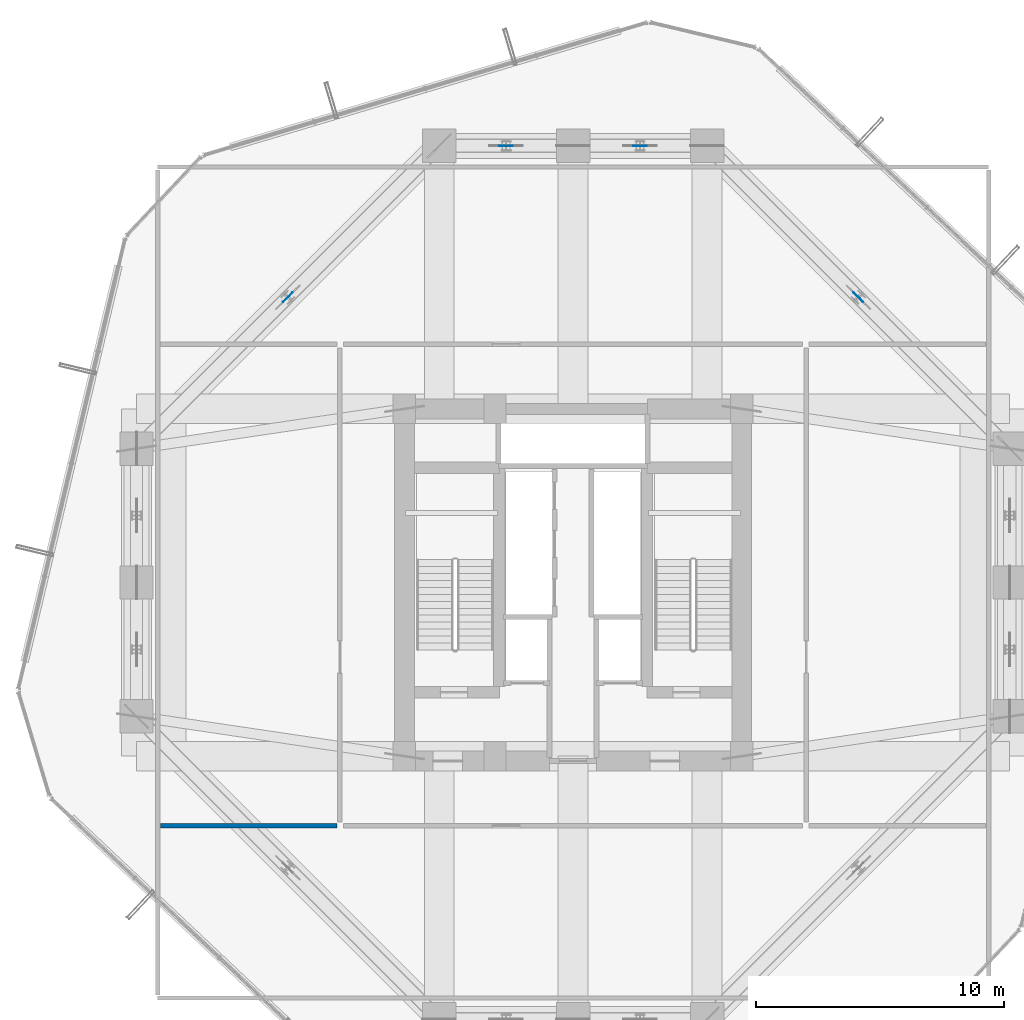
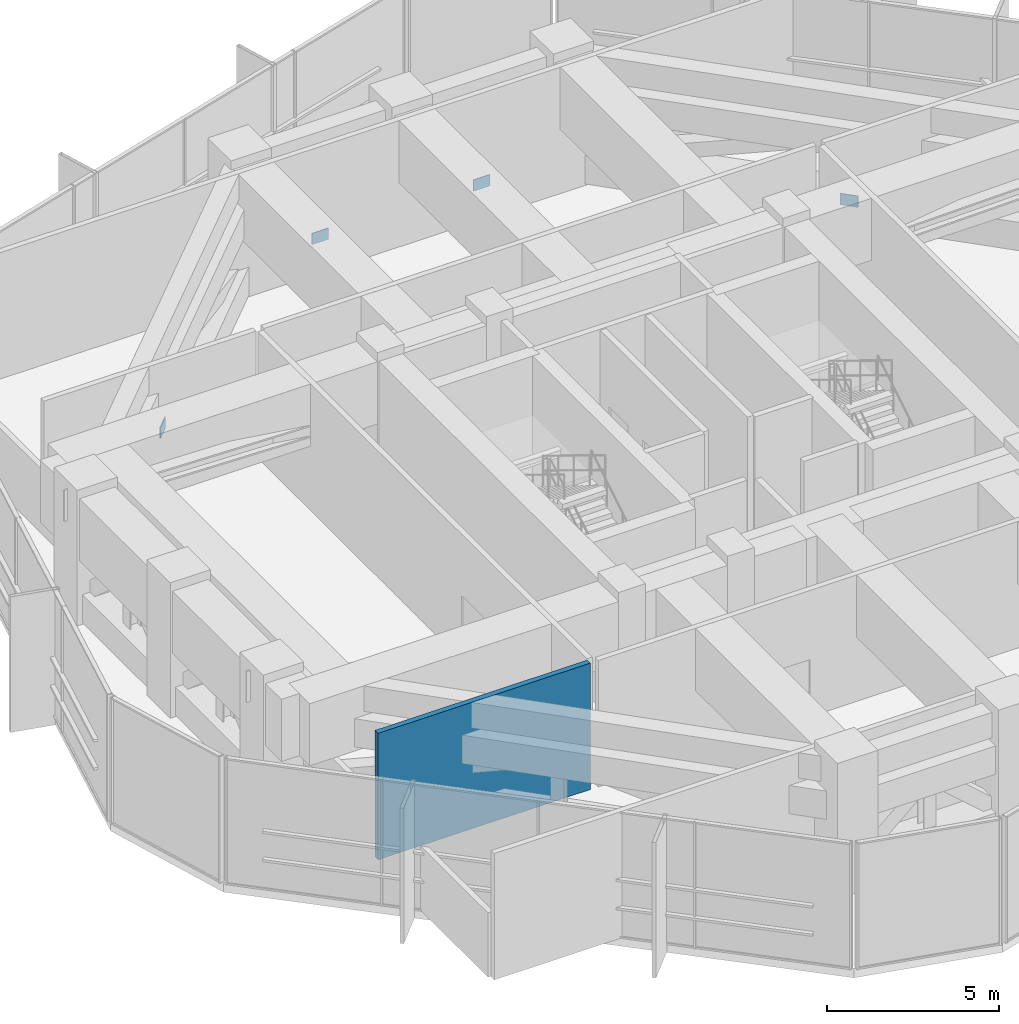
# One storey, part 36 of 41: 4 plates, 1 wall.
"""IFC4 building model written with IfcOpenShell, lengths in metres."""

from ifc_helpers import new_model, si_unit, direction, frame, frame_2d, origin, origin_2d, place, context, subcontext, project, spatial, rectangle, extrude, source, transform, mapped, material, layer, layer_set, type_object, element, save


model = new_model("IFC4")

# Units and contexts
model_context = context("Model", 3, precision=1e-05, world=origin(), true_north=direction((0.0, 1.0)))
body_context = subcontext(model_context, "Body", "Model", "MODEL_VIEW")
ifc_project = project(units=[si_unit("LENGTHUNIT", "METRE"), si_unit("AREAUNIT", "SQUARE_METRE"), si_unit("VOLUMEUNIT", "CUBIC_METRE"), si_unit("PLANEANGLEUNIT", "RADIAN"), si_unit("MASSUNIT", "GRAM", prefix="KILO")], contexts=[model_context])

# Site, building, storey
site_placement = place(None, origin())
site = spatial("IfcSite", under=ifc_project, at=site_placement, CompositionType="ELEMENT")
building_placement = place(site_placement, origin())
building = spatial("IfcBuilding", under=site, at=building_placement, Name="Veraguas Prism Commons", CompositionType="ELEMENT")
storey_placement = place(building_placement, frame((0.0, 0.0, 80.35009765625)))
storey = spatial("IfcBuildingStorey", under=building, at=storey_placement, Name="L22", CompositionType="ELEMENT", Elevation=80.35009765625)

# Plates
ifc_material_1 = material(Name="Steel ASTM A572 Grade 50", Category="steel")
ifc_layer_1 = layer(ifc_material_1, 0.030029296875, Name="Hollow Brace End Cap Plate 550x400x30", Category="steel")
ifc_layer_set_1 = layer_set([ifc_layer_1], Name="Steel ASTM A572 Grade 50")
plate_type = type_object("IfcPlateType", Name="Hollow Brace End Cap Plate 550x400x30", PredefinedType="USERDEFINED", material=ifc_layer_set_1)
shared_shape = source(origin(), body_context, "Body", "SweptSolid", [
    extrude(rectangle(XDim=0.550048828125, YDim=0.030029296875, at=origin_2d()), origin(), (0.0, 0.0, 1.0), 0.39990234375),
])
for number, where, z_axis, x_axis, name in (
    (1, (35.5, 35.5, 0.349853515625), (0.0, 0.0, 1.0), (-0.707106781187, 0.707106781187, 0.0), "Hollow Brace End Cap Plate L22-03"),
    (2, (26.699951171875, 41.60009765625, 0.349853515625), (0.0, 0.0, 1.0), (-1.0, 0.0, 0.0), "Hollow Brace End Cap Plate L22-04"),
    (3, (21.300048828125, 41.60009765625, 0.349853515625), (0.0, 0.0, 1.0), (-1.0, 0.0, 0.0), "Hollow Brace End Cap Plate L22-05"),
    (4, (12.5, 35.5, 0.349853515625), (0.0, 0.0, 1.0), (-0.707106781187, -0.707106781187, 0.0), "Hollow Brace End Cap Plate L22-06"),
):
    element("IfcPlate", number, at=place(storey_placement, frame(where, z_axis=z_axis, x_axis=x_axis)), inside=storey, type_object=plate_type, Name=name, ObjectType="STIFFENER PLATE", PredefinedType="USERDEFINED", context=body_context, shape_type="MappedRepresentation", body=[
        mapped(shared_shape, transform((0.0, 0.0, 0.0), scale=1.0)),
    ])

# Wall
ifc_material_2 = material(Name="Autoclaved aerated masonry block 10 MPa", Category="masonry")
ifc_layer_2 = layer(ifc_material_2, 0.179931640625, Name="Corridor and Inter-Tenancy Partition 180", Category="masonry")
ifc_layer_set_2 = layer_set([ifc_layer_2], Name="Autoclaved aerated masonry block 10 MPa")
wall_type = type_object("IfcWallType", Name="Corridor and Inter-Tenancy Partition 180", PredefinedType="PARTITIONING", material=ifc_layer_set_2)
wall_placement = place(storey_placement, frame((7.3701171875, 14.199951171875, 0.0), z_axis=(0.0, 0.0, 1.0), x_axis=(1.0, 0.0, 0.0)))
element("IfcWall", 5, at=wall_placement, inside=storey, type_object=wall_type, Name="WL-L22-PLDSW", PredefinedType="PARTITIONING", context=body_context, shape_type="SweptSolid", body=[
    extrude(rectangle(XDim=7.10986328125, YDim=0.179931640625, at=frame_2d((3.554931640625, 0.0))), origin(), (0.0, 0.0, 1.0), 4.47998046875),
])

save(model, "model.ifc")
